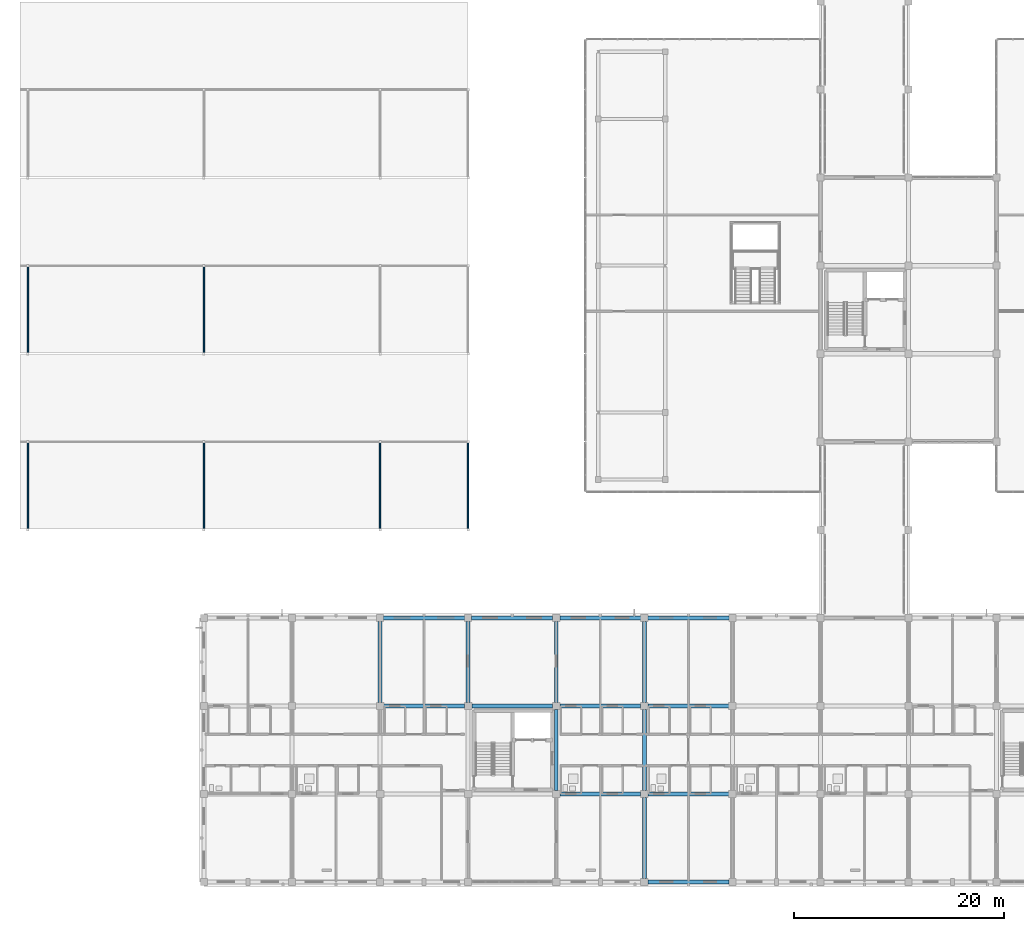
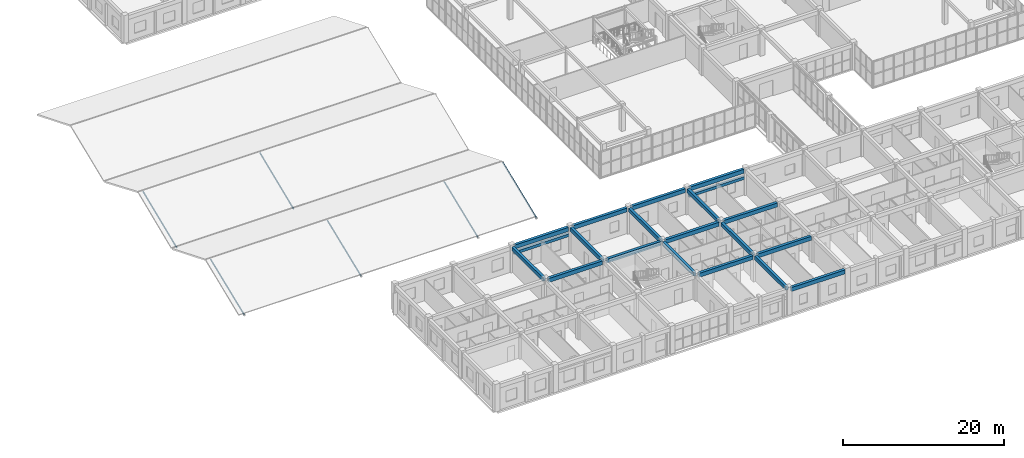
# One storey, part 15 of 140: 20 beams, 6 members.
"""IFC4 building model written with IfcOpenShell, lengths in metres."""

from ifc_helpers import new_model, si_unit, direction, frame, origin, origin_2d, place, context, subcontext, project, spatial, rectangle, hollow_circle, extrude, material, material_profile, profile_set, type_object, element, save


model = new_model("IFC4")

# Units and contexts
model_context = context("Model", 3, precision=1e-05, world=origin(), true_north=direction((0.0, 1.0)))
body_context = subcontext(model_context, "Body", "Model", "MODEL_VIEW")
ifc_project = project(units=[si_unit("LENGTHUNIT", "METRE"), si_unit("AREAUNIT", "SQUARE_METRE"), si_unit("VOLUMEUNIT", "CUBIC_METRE"), si_unit("PLANEANGLEUNIT", "RADIAN"), si_unit("MASSUNIT", "GRAM", prefix="KILO")], contexts=[model_context])

# Site, building, storey
site_placement = place(None, origin())
site = spatial("IfcSite", under=ifc_project, at=site_placement, CompositionType="ELEMENT")
building_placement = place(site_placement, origin())
building = spatial("IfcBuilding", under=site, at=building_placement, Name="Trelvath General Hospital", CompositionType="ELEMENT")
storey_placement = place(building_placement, frame((0.0, 0.0, 16.199951171875)))
storey = spatial("IfcBuildingStorey", under=building, at=storey_placement, Name="L04", CompositionType="ELEMENT", Elevation=16.199951171875)

# Beams
ifc_material_1 = material(Name="Concrete C35/45", Category="concrete")
ifc_material_profile_1 = material_profile(ifc_material_1, rectangle(XDim=0.3798828125, YDim=0.580078125, at=origin_2d()), Name="RCB380x580")
ifc_profile_set_1 = profile_set([ifc_material_profile_1], Name="Concrete C35/45")
beam_type_1 = type_object("IfcBeamType", Name="Beam RC380x580", PredefinedType="BEAM", material=ifc_profile_set_1)
for number, where, z_axis, x_axis, name in (
    (1, (33.60009765625, 17.14501953125, 3.630126953125), (0.0, 1.0, 0.0), (-1.0, 0.0, 0.0), "Grid Beam BY-404C"),
    (2, (42.0, 17.14501953125, 3.630126953125), (0.0, 1.0, 0.0), (-1.0, 0.0, 0.0), "Grid Beam BY-405C"),
):
    element("IfcBeam", number, at=place(storey_placement, frame(where, z_axis=z_axis, x_axis=x_axis)), inside=storey, type_object=beam_type_1, Name=name, PredefinedType="BEAM", context=body_context, shape_type="SweptSolid", body=[
        extrude(rectangle(XDim=0.3798828125, YDim=0.580078125, at=origin_2d()), origin(), (0.0, 0.0, 1.0), 7.719970703125),
    ])
beam_1_placement = place(storey_placement, frame((50.39990234375, 8.7451171875, 3.630126953125), z_axis=(0.0, 1.0, 0.0), x_axis=(-1.0, 0.0, 0.0)))
element("IfcBeam", 3, at=beam_1_placement, inside=storey, type_object=beam_type_1, Name="Grid Beam BY-406B", PredefinedType="BEAM", context=body_context, shape_type="SweptSolid", body=[
    extrude(rectangle(XDim=0.3798828125, YDim=0.580078125, at=origin_2d()), origin(), (0.0, 0.0, 1.0), 7.7099609375),
])
for number, where, z_axis, x_axis, name in (
    (4, (50.39990234375, 17.14501953125, 3.630126953125), (0.0, 1.0, 0.0), (-1.0, 0.0, 0.0), "Grid Beam BY-406C"),
    (5, (58.800048828125, 0.3349609375, 3.630126953125), (0.0, 1.0, 0.0), (-1.0, 0.0, 0.0), "Grid Beam BY-407A"),
):
    element("IfcBeam", number, at=place(storey_placement, frame(where, z_axis=z_axis, x_axis=x_axis)), inside=storey, type_object=beam_type_1, Name=name, PredefinedType="BEAM", context=body_context, shape_type="SweptSolid", body=[
        extrude(rectangle(XDim=0.3798828125, YDim=0.580078125, at=origin_2d()), origin(), (0.0, 0.0, 1.0), 7.719970703125),
    ])
beam_2_placement = place(storey_placement, frame((58.800048828125, 8.7451171875, 3.630126953125), z_axis=(0.0, 1.0, 0.0), x_axis=(-1.0, 0.0, 0.0)))
element("IfcBeam", 6, at=beam_2_placement, inside=storey, type_object=beam_type_1, Name="Grid Beam BY-407B", PredefinedType="BEAM", context=body_context, shape_type="SweptSolid", body=[
    extrude(rectangle(XDim=0.3798828125, YDim=0.580078125, at=origin_2d()), origin(), (0.0, 0.0, 1.0), 7.7099609375),
])
beam_3_placement = place(storey_placement, frame((58.800048828125, 17.14501953125, 3.630126953125), z_axis=(0.0, 1.0, 0.0), x_axis=(-1.0, 0.0, 0.0)))
element("IfcBeam", 7, at=beam_3_placement, inside=storey, type_object=beam_type_1, Name="Grid Beam BY-407C", PredefinedType="BEAM", context=body_context, shape_type="SweptSolid", body=[
    extrude(rectangle(XDim=0.3798828125, YDim=0.580078125, at=origin_2d()), origin(), (0.0, 0.0, 1.0), 7.719970703125),
])
ifc_material_2 = material(Name="Concrete C35/45", Category="concrete")
ifc_material_profile_2 = material_profile(ifc_material_2, rectangle(XDim=0.39990234375, YDim=0.60009765625, at=origin_2d()), Name="RCB400x600")
ifc_profile_set_2 = profile_set([ifc_material_profile_2], Name="Concrete C35/45")
beam_type_2 = type_object("IfcBeamType", Name="Beam RC400x600", PredefinedType="BEAM", material=ifc_profile_set_2)
beam_4_placement = place(storey_placement, frame((33.945068359375, 16.800048828125, 3.6201171875), z_axis=(1.0, 0.0, 0.0), x_axis=(0.0, 1.0, 0.0)))
element("IfcBeam", 8, at=beam_4_placement, inside=storey, type_object=beam_type_2, Name="Grid Beam BX-404C", PredefinedType="BEAM", context=body_context, shape_type="SweptSolid", body=[
    extrude(rectangle(XDim=0.39990234375, YDim=0.60009765625, at=origin_2d()), origin(), (0.0, 0.0, 1.0), 7.7099609375),
])
beam_5_placement = place(storey_placement, frame((33.93505859375, 25.199951171875, 3.6201171875), z_axis=(1.0, 0.0, 0.0), x_axis=(0.0, 1.0, 0.0)))
element("IfcBeam", 9, at=beam_5_placement, inside=storey, type_object=beam_type_2, Name="Grid Beam BX-404D", PredefinedType="BEAM", context=body_context, shape_type="SweptSolid", body=[
    extrude(rectangle(XDim=0.39990234375, YDim=0.60009765625, at=origin_2d()), origin(), (0.0, 0.0, 1.0), 7.72998046875),
])
beam_6_placement = place(storey_placement, frame((42.344970703125, 16.800048828125, 3.6201171875), z_axis=(1.0, 0.0, 0.0), x_axis=(0.0, 1.0, 0.0)))
element("IfcBeam", 10, at=beam_6_placement, inside=storey, type_object=beam_type_2, Name="Grid Beam BX-405C", PredefinedType="BEAM", context=body_context, shape_type="SweptSolid", body=[
    extrude(rectangle(XDim=0.39990234375, YDim=0.60009765625, at=origin_2d()), origin(), (0.0, 0.0, 1.0), 7.7099609375),
])
beam_7_placement = place(storey_placement, frame((42.3349609375, 25.199951171875, 3.6201171875), z_axis=(1.0, 0.0, 0.0), x_axis=(0.0, 1.0, 0.0)))
element("IfcBeam", 11, at=beam_7_placement, inside=storey, type_object=beam_type_2, Name="Grid Beam BX-405D", PredefinedType="BEAM", context=body_context, shape_type="SweptSolid", body=[
    extrude(rectangle(XDim=0.39990234375, YDim=0.60009765625, at=origin_2d()), origin(), (0.0, 0.0, 1.0), 7.72998046875),
])
for number, where, z_axis, x_axis, name in (
    (12, (50.7451171875, 8.39990234375, 3.6201171875), (1.0, 0.0, 0.0), (0.0, 1.0, 0.0), "Grid Beam BX-406B"),
    (13, (50.7451171875, 16.800048828125, 3.6201171875), (1.0, 0.0, 0.0), (0.0, 1.0, 0.0), "Grid Beam BX-406C"),
):
    element("IfcBeam", number, at=place(storey_placement, frame(where, z_axis=z_axis, x_axis=x_axis)), inside=storey, type_object=beam_type_2, Name=name, PredefinedType="BEAM", context=body_context, shape_type="SweptSolid", body=[
        extrude(rectangle(XDim=0.39990234375, YDim=0.60009765625, at=origin_2d()), origin(), (0.0, 0.0, 1.0), 7.7099609375),
    ])
for number, where, z_axis, x_axis, name in (
    (14, (50.735107421875, 25.199951171875, 3.6201171875), (1.0, 0.0, 0.0), (0.0, 1.0, 0.0), "Grid Beam BX-406D"),
    (15, (59.135009765625, 0.0, 3.6201171875), (1.0, 0.0, 0.0), (0.0, 1.0, 0.0), "Grid Beam BX-407A"),
):
    element("IfcBeam", number, at=place(storey_placement, frame(where, z_axis=z_axis, x_axis=x_axis)), inside=storey, type_object=beam_type_2, Name=name, PredefinedType="BEAM", context=body_context, shape_type="SweptSolid", body=[
        extrude(rectangle(XDim=0.39990234375, YDim=0.60009765625, at=origin_2d()), origin(), (0.0, 0.0, 1.0), 7.72998046875),
    ])
for number, where, z_axis, x_axis, name in (
    (16, (59.14501953125, 8.39990234375, 3.6201171875), (1.0, 0.0, 0.0), (0.0, 1.0, 0.0), "Grid Beam BX-407B"),
    (17, (59.14501953125, 16.800048828125, 3.6201171875), (1.0, 0.0, 0.0), (0.0, 1.0, 0.0), "Grid Beam BX-407C"),
):
    element("IfcBeam", number, at=place(storey_placement, frame(where, z_axis=z_axis, x_axis=x_axis)), inside=storey, type_object=beam_type_2, Name=name, PredefinedType="BEAM", context=body_context, shape_type="SweptSolid", body=[
        extrude(rectangle(XDim=0.39990234375, YDim=0.60009765625, at=origin_2d()), origin(), (0.0, 0.0, 1.0), 7.7099609375),
    ])
beam_8_placement = place(storey_placement, frame((59.135009765625, 25.199951171875, 3.6201171875), z_axis=(1.0, 0.0, 0.0), x_axis=(0.0, 1.0, 0.0)))
element("IfcBeam", 18, at=beam_8_placement, inside=storey, type_object=beam_type_2, Name="Grid Beam BX-407D", PredefinedType="BEAM", context=body_context, shape_type="SweptSolid", body=[
    extrude(rectangle(XDim=0.39990234375, YDim=0.60009765625, at=origin_2d()), origin(), (0.0, 0.0, 1.0), 7.72998046875),
])
ifc_material_3 = material(Name="Precast concrete C40/50", Category="concrete")
ifc_material_profile_3 = material_profile(ifc_material_3, rectangle(XDim=0.35009765625, YDim=0.419921875, at=origin_2d()), Name="PCL350x420")
ifc_profile_set_3 = profile_set([ifc_material_profile_3], Name="Precast concrete C40/50")
beam_type_3 = type_object("IfcBeamType", Name="Lintel PC350x420", PredefinedType="LINTEL", material=ifc_profile_set_3)
for number, where, z_axis, x_axis, name in (
    (19, (33.85498046875, 25.199951171875, 2.68994140625), (1.0, 0.0, 0.0), (0.0, 1.0, 0.0), "Precast Window Brow Lintel L04-435"),
    (20, (59.054931640625, 25.199951171875, 2.550048828125), (1.0, 0.0, 0.0), (0.0, 1.0, 0.0), "Precast Window Brow Lintel L04-445"),
):
    element("IfcBeam", number, at=place(storey_placement, frame(where, z_axis=z_axis, x_axis=x_axis)), inside=storey, type_object=beam_type_3, Name=name, PredefinedType="LINTEL", context=body_context, shape_type="SweptSolid", body=[
        extrude(rectangle(XDim=0.35009765625, YDim=0.419921875, at=origin_2d()), origin(), (0.0, 0.0, 1.0), 7.89013671875),
    ])

# Members
ifc_material_4 = material(Name="Steel S355", Category="steel")
ifc_material_profile_4 = material_profile(ifc_material_4, hollow_circle(Radius=0.096923828125, WallThickness=0.008056640625, at=origin_2d()), Name="CHS193.7x8.0")
ifc_profile_set_4 = profile_set([ifc_material_profile_4], Name="Steel S355")
member_type = type_object("IfcMemberType", Name="ShellStrut CHS193", PredefinedType="STRUT", material=ifc_profile_set_4)
for number, where, z_axis, x_axis, name in (
    (21, (0.0, 33.60009765625, 0.0), (0.0, 0.92770671042, 0.373309870539), (-1.0, 0.0, 0.0), "Surgical Sawtooth Shell Strut 19"),
    (22, (16.800048828125, 33.60009765625, 0.0), (0.0, 0.92770671042, 0.373309870539), (-1.0, 0.0, 0.0), "Surgical Sawtooth Shell Strut 20"),
    (23, (33.60009765625, 33.60009765625, 0.0), (0.0, 0.92770671042, 0.373309870539), (-1.0, 0.0, 0.0), "Surgical Sawtooth Shell Strut 21"),
    (24, (42.0, 33.60009765625, 0.0), (0.0, 0.92770671042, 0.373309870539), (-1.0, 0.0, 0.0), "Surgical Sawtooth Shell Strut 22"),
):
    element("IfcMember", number, at=place(storey_placement, frame(where, z_axis=z_axis, x_axis=x_axis)), inside=storey, type_object=member_type, Name=name, PredefinedType="STRUT", context=body_context, shape_type="SweptSolid", body=[
        extrude(hollow_circle(Radius=0.096923828125, WallThickness=0.008056640625, at=origin_2d()), origin(), (0.0, 0.0, 1.0), 9.054443359375),
    ])
for number, where, z_axis, x_axis, name in (
    (25, (0.0, 50.39990234375, 0.0), (0.0, 0.923859083163, 0.382732797728), (-1.0, 0.0, 0.0), "Surgical Sawtooth Shell Strut 23"),
    (26, (16.800048828125, 50.39990234375, 0.0), (0.0, 0.923859083163, 0.382732797728), (-1.0, 0.0, 0.0), "Surgical Sawtooth Shell Strut 24"),
):
    element("IfcMember", number, at=place(storey_placement, frame(where, z_axis=z_axis, x_axis=x_axis)), inside=storey, type_object=member_type, Name=name, PredefinedType="STRUT", context=body_context, shape_type="SweptSolid", body=[
        extrude(hollow_circle(Radius=0.096923828125, WallThickness=0.008056640625, at=origin_2d()), origin(), (0.0, 0.0, 1.0), 9.092529296875),
    ])

save(model, "model.ifc")
